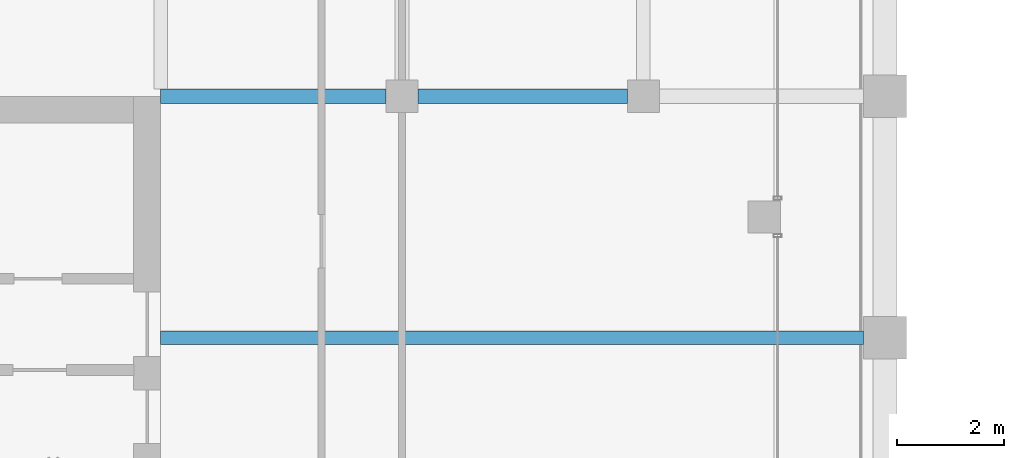
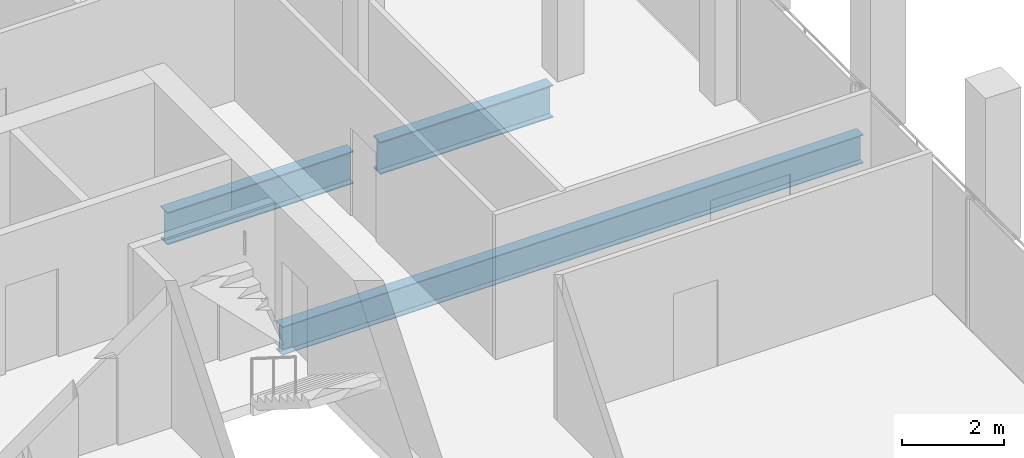
# One storey, part 18 of 40: 3 beams.
"""IFC4 building model written with IfcOpenShell, lengths in metres."""

from ifc_helpers import new_model, si_unit, direction, frame, origin, origin_2d, place, context, subcontext, project, spatial, i_section, extrude, material, material_profile, profile_set, type_object, element, save


model = new_model("IFC4")

# Units and contexts
model_context = context("Model", 3, precision=1e-05, world=origin(), true_north=direction((0.0, 1.0)))
body_context = subcontext(model_context, "Body", "Model", "MODEL_VIEW")
ifc_project = project(units=[si_unit("LENGTHUNIT", "METRE"), si_unit("AREAUNIT", "SQUARE_METRE"), si_unit("VOLUMEUNIT", "CUBIC_METRE"), si_unit("PLANEANGLEUNIT", "RADIAN"), si_unit("MASSUNIT", "GRAM", prefix="KILO")], contexts=[model_context])

# Site, building, storey
site_placement = place(None, origin())
site = spatial("IfcSite", under=ifc_project, at=site_placement, CompositionType="ELEMENT")
building_placement = place(site_placement, origin())
building = spatial("IfcBuilding", under=site, at=building_placement, Name="Altepetl Exchange Towers", CompositionType="ELEMENT")
storey_placement = place(building_placement, frame((0.0, 0.0, 202.800048828125)))
storey = spatial("IfcBuildingStorey", under=building, at=storey_placement, Name="L51", CompositionType="ELEMENT", Elevation=202.800048828125)

# Beams
ifc_material = material(Name="Steel S355", Category="steel")
ifc_material_profile_1 = material_profile(ifc_material, i_section(OverallWidth=0.2529296875, OverallDepth=0.677978515625, WebThickness=0.01171875, FlangeThickness=0.016357421875, at=origin_2d()), Name="W27X84")
ifc_profile_set_1 = profile_set([ifc_material_profile_1], Name="Steel S355")
beam_type_1 = type_object("IfcBeamType", Name="Floor beam W27X84", PredefinedType="BEAM", material=ifc_profile_set_1)
beam_1_placement = place(storey_placement, frame((58.5, 54.0, -0.489013671875), z_axis=(1.0, 0.0, 0.0), x_axis=(0.0, 1.0, 0.0)))
element("IfcBeam", 1, at=beam_1_placement, inside=storey, type_object=beam_type_1, Name="bm:A:L51:011", PredefinedType="BEAM", context=body_context, shape_type="SweptSolid", body=[
    extrude(i_section(OverallWidth=0.2529296875, OverallDepth=0.677978515625, WebThickness=0.01171875, FlangeThickness=0.016357421875, at=origin_2d()), origin(), (0.0, 0.0, 1.0), 13.10009765625),
])
ifc_material_profile_2 = material_profile(ifc_material, i_section(OverallWidth=0.26806640625, OverallDepth=0.77392578125, WebThickness=0.015380859375, FlangeThickness=0.025390625, at=origin_2d()), Name="W30X132")
ifc_profile_set_2 = profile_set([ifc_material_profile_2], Name="Steel S355")
beam_type_2 = type_object("IfcBeamType", Name="Girder W30X132", PredefinedType="BEAM", material=ifc_profile_set_2)
beam_2_placement = place(storey_placement, frame((58.5, 58.5, -0.537109375), z_axis=(1.0, 0.0, 0.0), x_axis=(0.0, 1.0, 0.0)))
element("IfcBeam", 2, at=beam_2_placement, inside=storey, type_object=beam_type_2, Name="gd:A:L51:000", PredefinedType="BEAM", context=body_context, shape_type="SweptSolid", body=[
    extrude(i_section(OverallWidth=0.26806640625, OverallDepth=0.77392578125, WebThickness=0.015380859375, FlangeThickness=0.025390625, at=origin_2d()), origin(), (0.0, 0.0, 1.0), 4.199951171875),
])
beam_3_placement = place(storey_placement, frame((63.300048828125, 58.5, -0.537109375), z_axis=(1.0, 0.0, 0.0), x_axis=(0.0, 1.0, 0.0)))
element("IfcBeam", 3, at=beam_3_placement, inside=storey, type_object=beam_type_2, Name="gd:A:L51:001", PredefinedType="BEAM", context=body_context, shape_type="SweptSolid", body=[
    extrude(i_section(OverallWidth=0.26806640625, OverallDepth=0.77392578125, WebThickness=0.015380859375, FlangeThickness=0.025390625, at=origin_2d()), origin(), (0.0, 0.0, 1.0), 3.89990234375),
])

save(model, "model.ifc")
